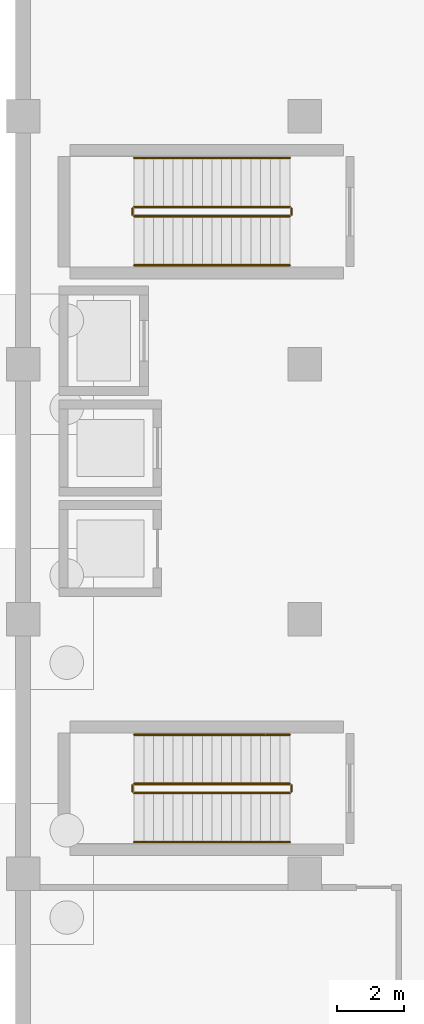
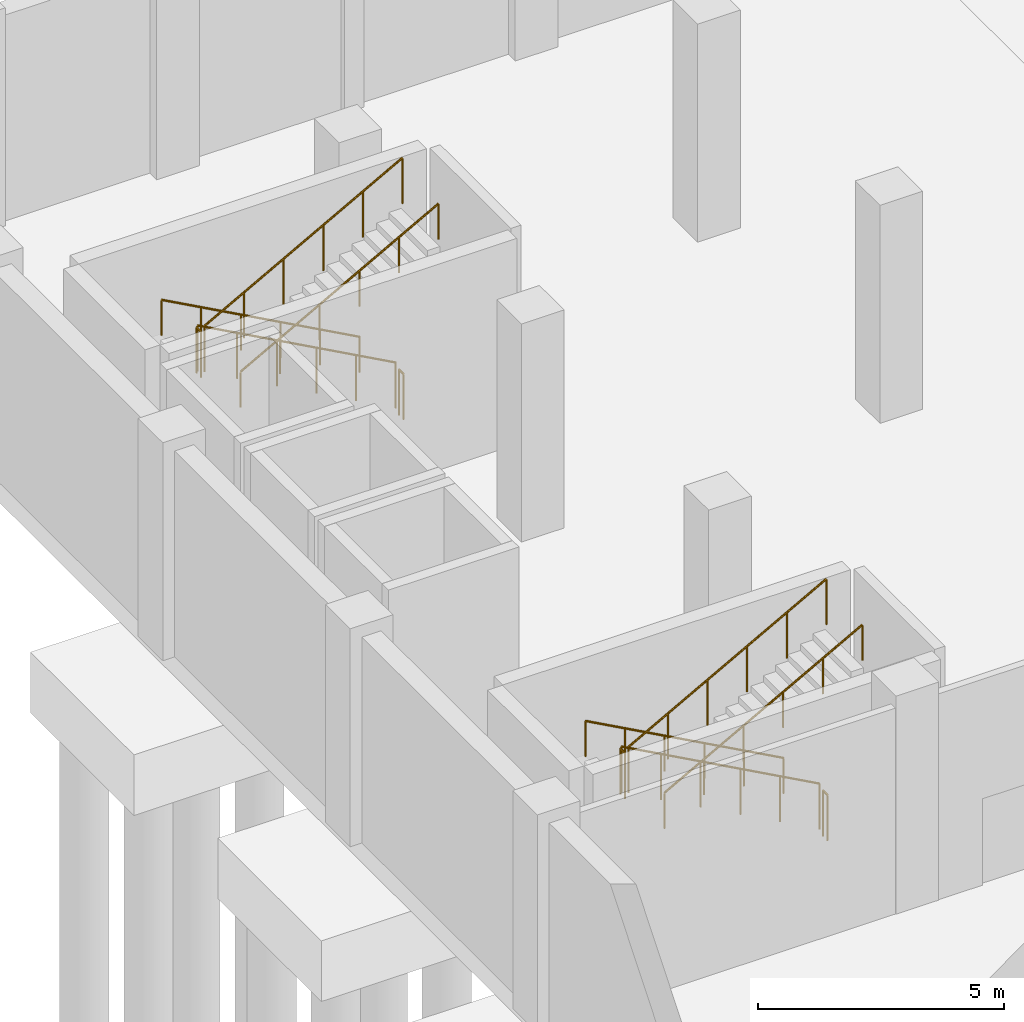
# One storey, part 17 of 20: 12 railings.
"""IFC4 building model written with IfcOpenShell, lengths in metres."""

from ifc_helpers import new_model, si_unit, direction, frame, origin, origin_2d, place, context, subcontext, project, spatial, circle, extrude, material, type_object, element, save


model = new_model("IFC4")

# Units and contexts
model_context = context("Model", 3, precision=1e-05, world=origin(), true_north=direction((0.0, 1.0)))
body_context = subcontext(model_context, "Body", "Model", "MODEL_VIEW")
ifc_project = project(units=[si_unit("LENGTHUNIT", "METRE"), si_unit("AREAUNIT", "SQUARE_METRE"), si_unit("VOLUMEUNIT", "CUBIC_METRE"), si_unit("PLANEANGLEUNIT", "RADIAN"), si_unit("MASSUNIT", "GRAM", prefix="KILO")], contexts=[model_context])

# Site, building, storey
site_placement = place(None, origin())
site = spatial("IfcSite", under=ifc_project, at=site_placement, CompositionType="ELEMENT")
building_placement = place(site_placement, origin())
building = spatial("IfcBuilding", under=site, at=building_placement, Name="Shengluoqiao Park Theatre", CompositionType="ELEMENT")
storey_placement = place(building_placement, frame((0.0, 0.0, -5.39990234375)))
storey = spatial("IfcBuildingStorey", under=building, at=storey_placement, Name="B1", CompositionType="ELEMENT", Elevation=-5.39990234375)

# Railings
ifc_material_1 = material(Name="Painted steel", Category="steel")
railing_type_1 = type_object("IfcRailingType", Name="INT-RL-STGRD", PredefinedType="GUARDRAIL", material=ifc_material_1)
railing_1_placement = place(storey_placement, frame((52.35009765625, 86.68994140625, 0.15869140625)))
element("IfcRailing", 1, at=railing_1_placement, inside=storey, type_object=railing_type_1, Name="B1 ST-02 stair guard 1", PredefinedType="GUARDRAIL", context=body_context, shape_type="SweptSolid", body=[
    extrude(circle(Radius=0.02392578125, at=origin_2d()), frame((0.0, 0.0, 1.1259765625), z_axis=(-0.877077751873, 0.0, 0.480348433087), x_axis=(0.0, -1.0, 0.0)), (0.0, 0.0, 1.0), 5.29052734375),
    extrude(circle(Radius=0.02099609375, at=origin_2d()), origin(), (0.0, 0.0, 1.0), 1.101806640625),
    extrude(circle(Radius=0.02099609375, at=origin_2d()), frame((-0.927978515625, 0.0, 0.50830078125)), (0.0, 0.0, 1.0), 1.101806640625),
    extrude(circle(Radius=0.02099609375, at=origin_2d()), frame((-1.85595703125, 0.0, 1.0166015625)), (0.0, 0.0, 1.0), 1.101806640625),
    extrude(circle(Radius=0.02099609375, at=origin_2d()), frame((-2.7841796875, 0.0, 1.524658203125)), (0.0, 0.0, 1.0), 1.101806640625),
    extrude(circle(Radius=0.02099609375, at=origin_2d()), frame((-3.712158203125, 0.0, 2.032958984375)), (0.0, 0.0, 1.0), 1.101806640625),
    extrude(circle(Radius=0.02099609375, at=origin_2d()), frame((-4.64013671875, 0.0, 2.541259765625)), (0.0, 0.0, 1.0), 1.101806640625),
])
railing_2_placement = place(storey_placement, frame((47.659912109375, 86.639892578125, 2.699951171875)))
element("IfcRailing", 2, at=railing_2_placement, inside=storey, type_object=railing_type_1, Name="B1 ST-02 stair guard 2", PredefinedType="GUARDRAIL", context=body_context, shape_type="SweptSolid", body=[
    extrude(circle(Radius=0.02392578125, at=origin_2d()), frame((0.0, 0.0, 1.1259765625), z_axis=(0.0, -1.0, 0.0), x_axis=(1.0, 0.0, 0.0)), (0.0, 0.0, 1.0), 0.179931640625),
    extrude(circle(Radius=0.02099609375, at=origin_2d()), origin(), (0.0, 0.0, 1.0), 1.101806640625),
    extrude(circle(Radius=0.02099609375, at=origin_2d()), frame((0.0, -0.179931640625, 0.0)), (0.0, 0.0, 1.0), 1.101806640625),
])
railing_3_placement = place(storey_placement, frame((47.7099609375, 86.409912109375, 2.858642578125)))
element("IfcRailing", 3, at=railing_3_placement, inside=storey, type_object=railing_type_1, Name="B1 ST-02 stair guard 3", PredefinedType="GUARDRAIL", context=body_context, shape_type="SweptSolid", body=[
    extrude(circle(Radius=0.02392578125, at=origin_2d()), frame((0.0, 0.0, 1.1259765625), z_axis=(0.877077751873, 0.0, 0.480348433087), x_axis=(0.0, 1.0, 0.0)), (0.0, 0.0, 1.0), 5.29052734375),
    extrude(circle(Radius=0.02099609375, at=origin_2d()), origin(), (0.0, 0.0, 1.0), 1.101806640625),
    extrude(circle(Radius=0.02099609375, at=origin_2d()), frame((0.927978515625, 0.0, 0.50830078125)), (0.0, 0.0, 1.0), 1.101806640625),
    extrude(circle(Radius=0.02099609375, at=origin_2d()), frame((1.85595703125, 0.0, 1.0166015625)), (0.0, 0.0, 1.0), 1.101806640625),
    extrude(circle(Radius=0.02099609375, at=origin_2d()), frame((2.7841796875, 0.0, 1.524658203125)), (0.0, 0.0, 1.0), 1.101806640625),
    extrude(circle(Radius=0.02099609375, at=origin_2d()), frame((3.712158203125, 0.0, 2.032958984375)), (0.0, 0.0, 1.0), 1.101806640625),
    extrude(circle(Radius=0.02099609375, at=origin_2d()), frame((4.64013671875, 0.0, 2.541259765625)), (0.0, 0.0, 1.0), 1.101806640625),
])
railing_4_placement = place(storey_placement, frame((52.39990234375, 86.639892578125, 0.0)))
element("IfcRailing", 4, at=railing_4_placement, inside=storey, type_object=railing_type_1, Name="B1 ST-02 stair guard 4", PredefinedType="GUARDRAIL", context=body_context, shape_type="SweptSolid", body=[
    extrude(circle(Radius=0.02392578125, at=origin_2d()), frame((0.0, 0.0, 1.1259765625), z_axis=(0.0, -1.0, 0.0), x_axis=(1.0, 0.0, 0.0)), (0.0, 0.0, 1.0), 0.179931640625),
    extrude(circle(Radius=0.02099609375, at=origin_2d()), origin(), (0.0, 0.0, 1.0), 1.101806640625),
    extrude(circle(Radius=0.02099609375, at=origin_2d()), frame((0.0, -0.179931640625, 0.0)), (0.0, 0.0, 1.0), 1.101806640625),
])
railing_5_placement = place(storey_placement, frame((52.35009765625, 103.889892578125, 0.15869140625)))
element("IfcRailing", 5, at=railing_5_placement, inside=storey, type_object=railing_type_1, Name="B1 ST-03 stair guard 1", PredefinedType="GUARDRAIL", context=body_context, shape_type="SweptSolid", body=[
    extrude(circle(Radius=0.02392578125, at=origin_2d()), frame((0.0, 0.0, 1.1259765625), z_axis=(-0.877077751873, 0.0, 0.480348433087), x_axis=(0.0, -1.0, 0.0)), (0.0, 0.0, 1.0), 5.29052734375),
    extrude(circle(Radius=0.02099609375, at=origin_2d()), origin(), (0.0, 0.0, 1.0), 1.101806640625),
    extrude(circle(Radius=0.02099609375, at=origin_2d()), frame((-0.927978515625, 0.0, 0.50830078125)), (0.0, 0.0, 1.0), 1.101806640625),
    extrude(circle(Radius=0.02099609375, at=origin_2d()), frame((-1.85595703125, 0.0, 1.0166015625)), (0.0, 0.0, 1.0), 1.101806640625),
    extrude(circle(Radius=0.02099609375, at=origin_2d()), frame((-2.7841796875, 0.0, 1.524658203125)), (0.0, 0.0, 1.0), 1.101806640625),
    extrude(circle(Radius=0.02099609375, at=origin_2d()), frame((-3.712158203125, 0.0, 2.032958984375)), (0.0, 0.0, 1.0), 1.101806640625),
    extrude(circle(Radius=0.02099609375, at=origin_2d()), frame((-4.64013671875, 0.0, 2.541259765625)), (0.0, 0.0, 1.0), 1.101806640625),
])
railing_6_placement = place(storey_placement, frame((47.659912109375, 103.840087890625, 2.699951171875)))
element("IfcRailing", 6, at=railing_6_placement, inside=storey, type_object=railing_type_1, Name="B1 ST-03 stair guard 2", PredefinedType="GUARDRAIL", context=body_context, shape_type="SweptSolid", body=[
    extrude(circle(Radius=0.02392578125, at=origin_2d()), frame((0.0, 0.0, 1.1259765625), z_axis=(0.0, -1.0, 0.0), x_axis=(1.0, 0.0, 0.0)), (0.0, 0.0, 1.0), 0.18017578125),
    extrude(circle(Radius=0.02099609375, at=origin_2d()), origin(), (0.0, 0.0, 1.0), 1.101806640625),
    extrude(circle(Radius=0.02099609375, at=origin_2d()), frame((0.0, -0.18017578125, 0.0)), (0.0, 0.0, 1.0), 1.101806640625),
])
railing_7_placement = place(storey_placement, frame((47.7099609375, 103.610107421875, 2.858642578125)))
element("IfcRailing", 7, at=railing_7_placement, inside=storey, type_object=railing_type_1, Name="B1 ST-03 stair guard 3", PredefinedType="GUARDRAIL", context=body_context, shape_type="SweptSolid", body=[
    extrude(circle(Radius=0.02392578125, at=origin_2d()), frame((0.0, 0.0, 1.1259765625), z_axis=(0.877077751873, 0.0, 0.480348433087), x_axis=(0.0, 1.0, 0.0)), (0.0, 0.0, 1.0), 5.29052734375),
    extrude(circle(Radius=0.02099609375, at=origin_2d()), origin(), (0.0, 0.0, 1.0), 1.101806640625),
    extrude(circle(Radius=0.02099609375, at=origin_2d()), frame((0.927978515625, 0.0, 0.50830078125)), (0.0, 0.0, 1.0), 1.101806640625),
    extrude(circle(Radius=0.02099609375, at=origin_2d()), frame((1.85595703125, 0.0, 1.0166015625)), (0.0, 0.0, 1.0), 1.101806640625),
    extrude(circle(Radius=0.02099609375, at=origin_2d()), frame((2.7841796875, 0.0, 1.524658203125)), (0.0, 0.0, 1.0), 1.101806640625),
    extrude(circle(Radius=0.02099609375, at=origin_2d()), frame((3.712158203125, 0.0, 2.032958984375)), (0.0, 0.0, 1.0), 1.101806640625),
    extrude(circle(Radius=0.02099609375, at=origin_2d()), frame((4.64013671875, 0.0, 2.541259765625)), (0.0, 0.0, 1.0), 1.101806640625),
])
railing_8_placement = place(storey_placement, frame((52.39990234375, 103.840087890625, 0.0)))
element("IfcRailing", 8, at=railing_8_placement, inside=storey, type_object=railing_type_1, Name="B1 ST-03 stair guard 4", PredefinedType="GUARDRAIL", context=body_context, shape_type="SweptSolid", body=[
    extrude(circle(Radius=0.02392578125, at=origin_2d()), frame((0.0, 0.0, 1.1259765625), z_axis=(0.0, -1.0, 0.0), x_axis=(1.0, 0.0, 0.0)), (0.0, 0.0, 1.0), 0.18017578125),
    extrude(circle(Radius=0.02099609375, at=origin_2d()), origin(), (0.0, 0.0, 1.0), 1.101806640625),
    extrude(circle(Radius=0.02099609375, at=origin_2d()), frame((0.0, -0.18017578125, 0.0)), (0.0, 0.0, 1.0), 1.101806640625),
])
ifc_material_2 = material(Name="Stainless steel 304", Category="steel")
railing_type_2 = type_object("IfcRailingType", Name="INT-RL-STHR", PredefinedType="HANDRAIL", material=ifc_material_2)
railing_9_placement = place(storey_placement, frame((52.35009765625, 88.14990234375, 0.15869140625)))
element("IfcRailing", 9, at=railing_9_placement, inside=storey, type_object=railing_type_2, Name="B1 ST-02 stair handrail 1", PredefinedType="HANDRAIL", context=body_context, shape_type="SweptSolid", body=[
    extrude(circle(Radius=0.02392578125, at=origin_2d()), frame((0.0, 0.0, 0.8759765625), z_axis=(-0.877077751873, 0.0, 0.480348433087), x_axis=(0.0, -1.0, 0.0)), (0.0, 0.0, 1.0), 5.29052734375),
    extrude(circle(Radius=0.02099609375, at=origin_2d()), origin(), (0.0, 0.0, 1.0), 0.851806640625),
    extrude(circle(Radius=0.02099609375, at=origin_2d()), frame((-0.927978515625, 0.0, 0.50830078125)), (0.0, 0.0, 1.0), 0.851806640625),
    extrude(circle(Radius=0.02099609375, at=origin_2d()), frame((-1.85595703125, 0.0, 1.0166015625)), (0.0, 0.0, 1.0), 0.851806640625),
    extrude(circle(Radius=0.02099609375, at=origin_2d()), frame((-2.7841796875, 0.0, 1.524658203125)), (0.0, 0.0, 1.0), 0.851806640625),
    extrude(circle(Radius=0.02099609375, at=origin_2d()), frame((-3.712158203125, 0.0, 2.032958984375)), (0.0, 0.0, 1.0), 0.851806640625),
    extrude(circle(Radius=0.02099609375, at=origin_2d()), frame((-4.64013671875, 0.0, 2.541259765625)), (0.0, 0.0, 1.0), 0.851806640625),
])
railing_10_placement = place(storey_placement, frame((47.7099609375, 84.949951171875, 2.858642578125)))
element("IfcRailing", 10, at=railing_10_placement, inside=storey, type_object=railing_type_2, Name="B1 ST-02 stair handrail 2", PredefinedType="HANDRAIL", context=body_context, shape_type="SweptSolid", body=[
    extrude(circle(Radius=0.02392578125, at=origin_2d()), frame((0.0, 0.0, 0.8759765625), z_axis=(0.877077751873, 0.0, 0.480348433087), x_axis=(0.0, 1.0, 0.0)), (0.0, 0.0, 1.0), 5.29052734375),
    extrude(circle(Radius=0.02099609375, at=origin_2d()), origin(), (0.0, 0.0, 1.0), 0.851806640625),
    extrude(circle(Radius=0.02099609375, at=origin_2d()), frame((0.927978515625, 0.0, 0.50830078125)), (0.0, 0.0, 1.0), 0.851806640625),
    extrude(circle(Radius=0.02099609375, at=origin_2d()), frame((1.85595703125, 0.0, 1.0166015625)), (0.0, 0.0, 1.0), 0.851806640625),
    extrude(circle(Radius=0.02099609375, at=origin_2d()), frame((2.7841796875, 0.0, 1.524658203125)), (0.0, 0.0, 1.0), 0.851806640625),
    extrude(circle(Radius=0.02099609375, at=origin_2d()), frame((3.712158203125, 0.0, 2.032958984375)), (0.0, 0.0, 1.0), 0.851806640625),
    extrude(circle(Radius=0.02099609375, at=origin_2d()), frame((4.64013671875, 0.0, 2.541259765625)), (0.0, 0.0, 1.0), 0.851806640625),
])
railing_11_placement = place(storey_placement, frame((52.35009765625, 105.35009765625, 0.15869140625)))
element("IfcRailing", 11, at=railing_11_placement, inside=storey, type_object=railing_type_2, Name="B1 ST-03 stair handrail 1", PredefinedType="HANDRAIL", context=body_context, shape_type="SweptSolid", body=[
    extrude(circle(Radius=0.02392578125, at=origin_2d()), frame((0.0, 0.0, 0.8759765625), z_axis=(-0.877077751873, 0.0, 0.480348433087), x_axis=(0.0, -1.0, 0.0)), (0.0, 0.0, 1.0), 5.29052734375),
    extrude(circle(Radius=0.02099609375, at=origin_2d()), origin(), (0.0, 0.0, 1.0), 0.851806640625),
    extrude(circle(Radius=0.02099609375, at=origin_2d()), frame((-0.927978515625, 0.0, 0.50830078125)), (0.0, 0.0, 1.0), 0.851806640625),
    extrude(circle(Radius=0.02099609375, at=origin_2d()), frame((-1.85595703125, 0.0, 1.0166015625)), (0.0, 0.0, 1.0), 0.851806640625),
    extrude(circle(Radius=0.02099609375, at=origin_2d()), frame((-2.7841796875, 0.0, 1.524658203125)), (0.0, 0.0, 1.0), 0.851806640625),
    extrude(circle(Radius=0.02099609375, at=origin_2d()), frame((-3.712158203125, 0.0, 2.032958984375)), (0.0, 0.0, 1.0), 0.851806640625),
    extrude(circle(Radius=0.02099609375, at=origin_2d()), frame((-4.64013671875, 0.0, 2.541259765625)), (0.0, 0.0, 1.0), 0.851806640625),
])
railing_12_placement = place(storey_placement, frame((47.7099609375, 102.14990234375, 2.858642578125)))
element("IfcRailing", 12, at=railing_12_placement, inside=storey, type_object=railing_type_2, Name="B1 ST-03 stair handrail 2", PredefinedType="HANDRAIL", context=body_context, shape_type="SweptSolid", body=[
    extrude(circle(Radius=0.02392578125, at=origin_2d()), frame((0.0, 0.0, 0.8759765625), z_axis=(0.877077751873, 0.0, 0.480348433087), x_axis=(0.0, 1.0, 0.0)), (0.0, 0.0, 1.0), 5.29052734375),
    extrude(circle(Radius=0.02099609375, at=origin_2d()), origin(), (0.0, 0.0, 1.0), 0.851806640625),
    extrude(circle(Radius=0.02099609375, at=origin_2d()), frame((0.927978515625, 0.0, 0.50830078125)), (0.0, 0.0, 1.0), 0.851806640625),
    extrude(circle(Radius=0.02099609375, at=origin_2d()), frame((1.85595703125, 0.0, 1.0166015625)), (0.0, 0.0, 1.0), 0.851806640625),
    extrude(circle(Radius=0.02099609375, at=origin_2d()), frame((2.7841796875, 0.0, 1.524658203125)), (0.0, 0.0, 1.0), 0.851806640625),
    extrude(circle(Radius=0.02099609375, at=origin_2d()), frame((3.712158203125, 0.0, 2.032958984375)), (0.0, 0.0, 1.0), 0.851806640625),
    extrude(circle(Radius=0.02099609375, at=origin_2d()), frame((4.64013671875, 0.0, 2.541259765625)), (0.0, 0.0, 1.0), 0.851806640625),
])

save(model, "model.ifc")
